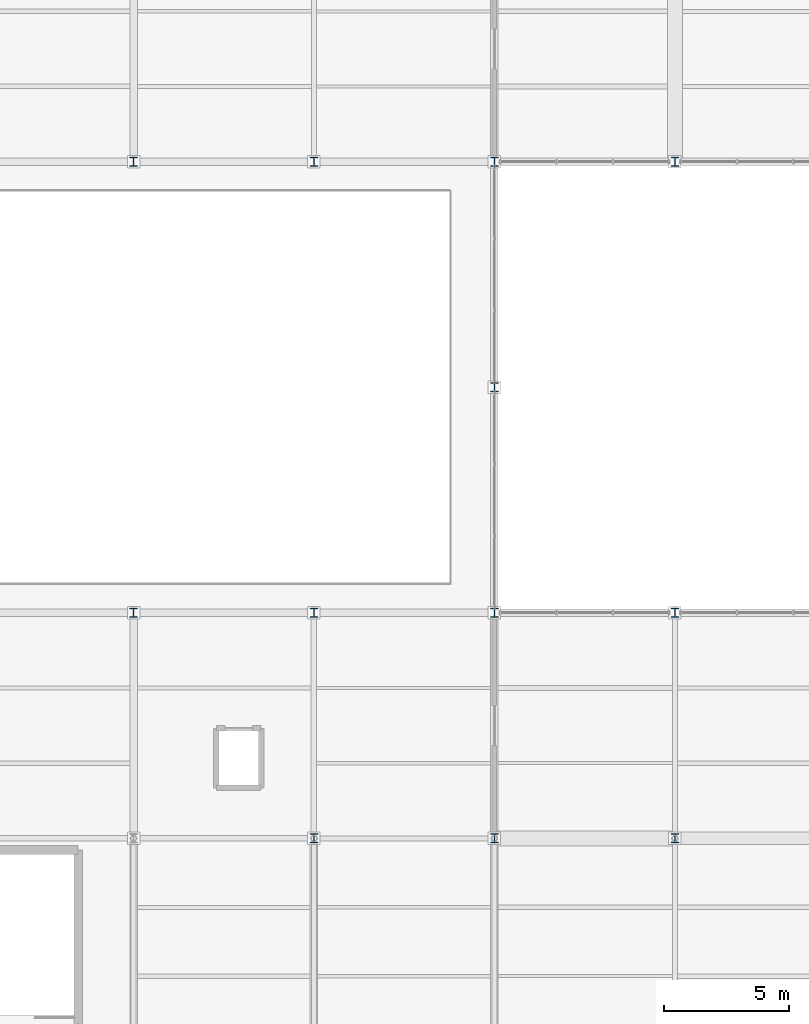
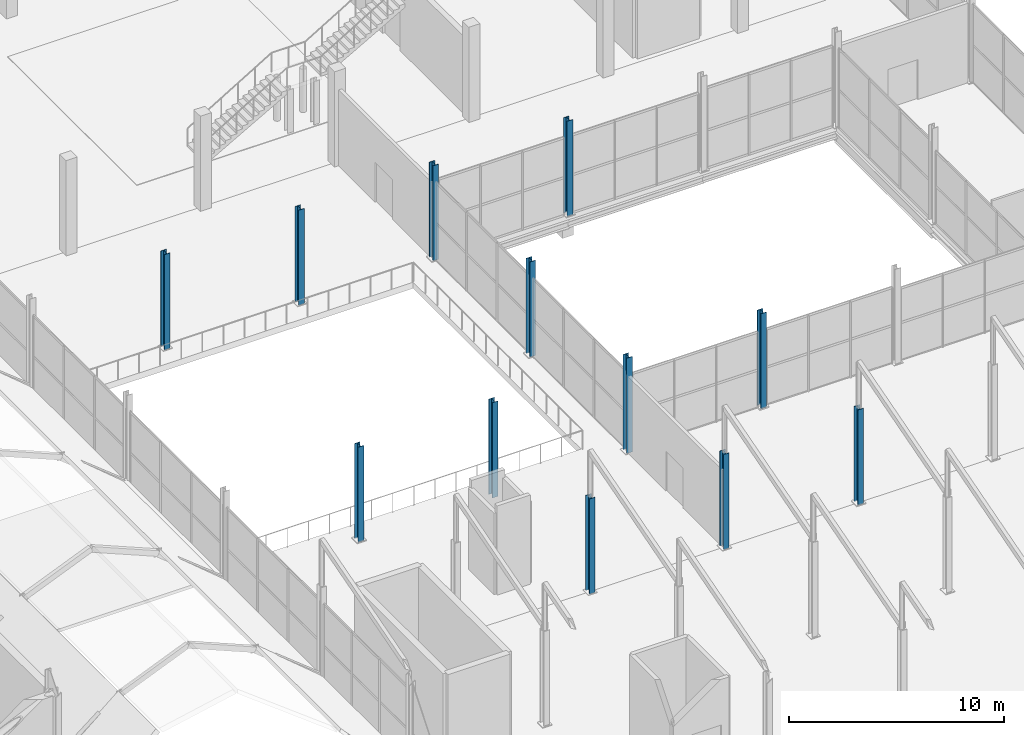
# One storey, part 4 of 141: 12 columns.
"""IFC4 building model written with IfcOpenShell, lengths in metres."""

from ifc_helpers import new_model, si_unit, direction, frame, origin, origin_2d, place, context, subcontext, project, spatial, i_section, extrude, material, material_profile, profile_set, type_object, element, save


model = new_model("IFC4")

# Units and contexts
model_context = context("Model", 3, precision=1e-05, world=origin(), true_north=direction((0.0, 1.0)))
body_context = subcontext(model_context, "Body", "Model", "MODEL_VIEW")
ifc_project = project(units=[si_unit("LENGTHUNIT", "METRE"), si_unit("AREAUNIT", "SQUARE_METRE"), si_unit("VOLUMEUNIT", "CUBIC_METRE"), si_unit("PLANEANGLEUNIT", "RADIAN"), si_unit("MASSUNIT", "GRAM", prefix="KILO")], contexts=[model_context])

# Site, building, storey
site_placement = place(None, origin())
site = spatial("IfcSite", under=ifc_project, at=site_placement, CompositionType="ELEMENT")
building_placement = place(site_placement, origin())
building = spatial("IfcBuilding", under=site, at=building_placement, Name="Sundgate Opera House", CompositionType="ELEMENT")
storey_placement = place(building_placement, frame((0.0, 0.0, 11.39990234375)))
storey = spatial("IfcBuildingStorey", under=building, at=storey_placement, Name="L02", CompositionType="ELEMENT", Elevation=11.39990234375)

# Columns
ifc_material = material(Name="Steel S355J2", Category="steel")
ifc_material_profile = material_profile(ifc_material, i_section(OverallWidth=0.300048828125, OverallDepth=0.360107421875, WebThickness=0.012451171875, FlangeThickness=0.0224609375, at=origin_2d()), Name="HEB 360")
ifc_profile_set = profile_set([ifc_material_profile], Name="Steel S355J2")
column_type = type_object("IfcColumnType", Name="CL-STL-360", PredefinedType="COLUMN", material=ifc_profile_set)
for number, where, z_axis, x_axis, name in (
    (1, (102.60009765625, 42.0, 0.0), (0.0, 0.0, 1.0), (1.0, 0.0, 0.0), "L02 Column C0714"),
    (2, (102.60009765625, 60.0, 0.0), (0.0, 0.0, 1.0), (1.0, 0.0, 0.0), "L02 Column C0719"),
    (3, (109.800048828125, 33.0, 0.0), (0.0, 0.0, 1.0), (1.0, 0.0, 0.0), "L02 Column C0774"),
    (4, (109.800048828125, 42.0, 0.0), (0.0, 0.0, 1.0), (1.0, 0.0, 0.0), "L02 Column C0778"),
    (5, (109.800048828125, 60.0, 0.0), (0.0, 0.0, 1.0), (1.0, 0.0, 0.0), "L02 Column C0783"),
    (6, (117.0, 33.0, 0.0), (0.0, 0.0, 1.0), (1.0, 0.0, 0.0), "L02 Column C0835"),
    (7, (117.0, 42.0, 0.0), (0.0, 0.0, 1.0), (1.0, 0.0, 0.0), "L02 Column C0839"),
    (8, (117.0, 51.0, 0.0), (0.0, 0.0, 1.0), (1.0, 0.0, 0.0), "L02 Column C0843"),
    (9, (117.0, 60.0, 0.0), (0.0, 0.0, 1.0), (1.0, 0.0, 0.0), "L02 Column C0847"),
    (10, (124.199951171875, 33.0, 0.0), (0.0, 0.0, 1.0), (1.0, 0.0, 0.0), "L02 Column C0899"),
    (11, (124.199951171875, 42.0, 0.0), (0.0, 0.0, 1.0), (1.0, 0.0, 0.0), "L02 Column C0903"),
    (12, (124.199951171875, 60.0, 0.0), (0.0, 0.0, 1.0), (1.0, 0.0, 0.0), "L02 Column C0907"),
):
    element("IfcColumn", number, at=place(storey_placement, frame(where, z_axis=z_axis, x_axis=x_axis)), inside=storey, type_object=column_type, Name=name, PredefinedType="COLUMN", context=body_context, shape_type="SweptSolid", body=[
        extrude(i_section(OverallWidth=0.300048828125, OverallDepth=0.360107421875, WebThickness=0.012451171875, FlangeThickness=0.0224609375, at=origin_2d()), origin(), (0.0, 0.0, 1.0), 5.400146484375),
    ])

save(model, "model.ifc")
